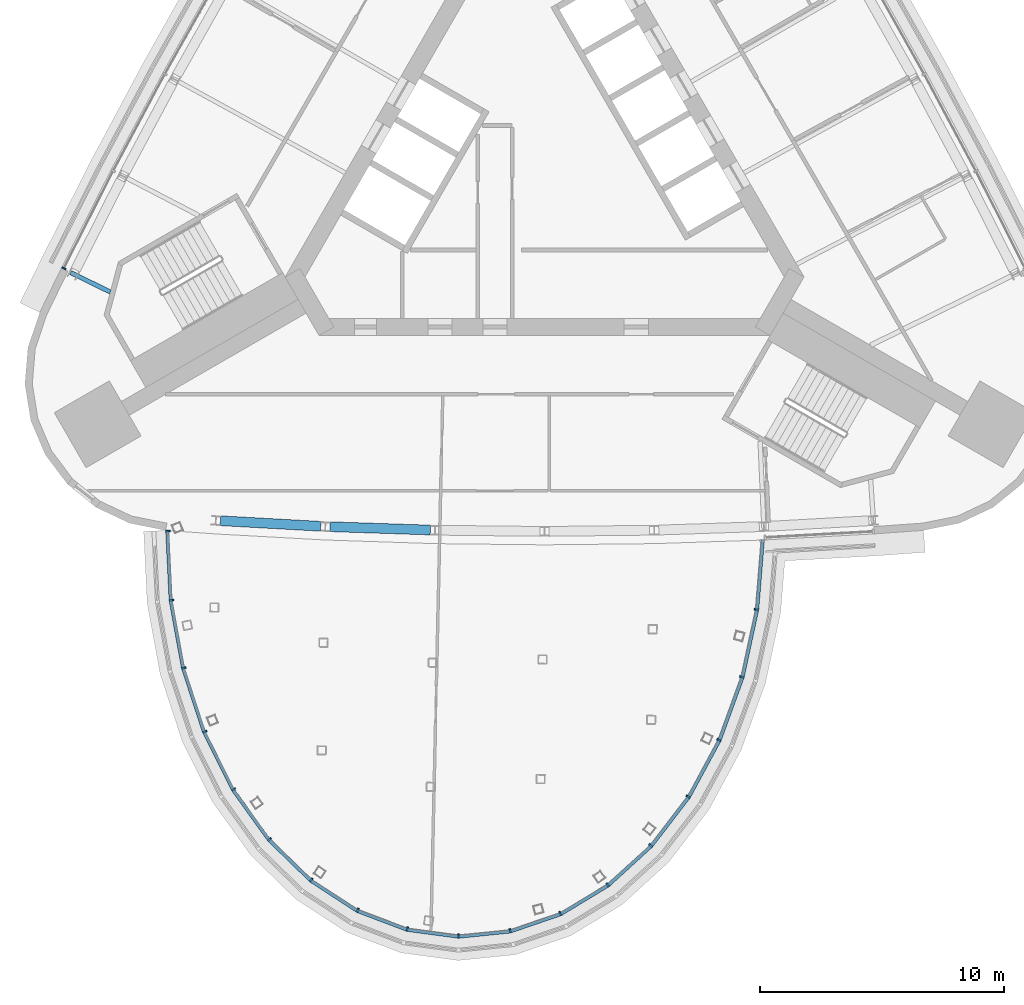
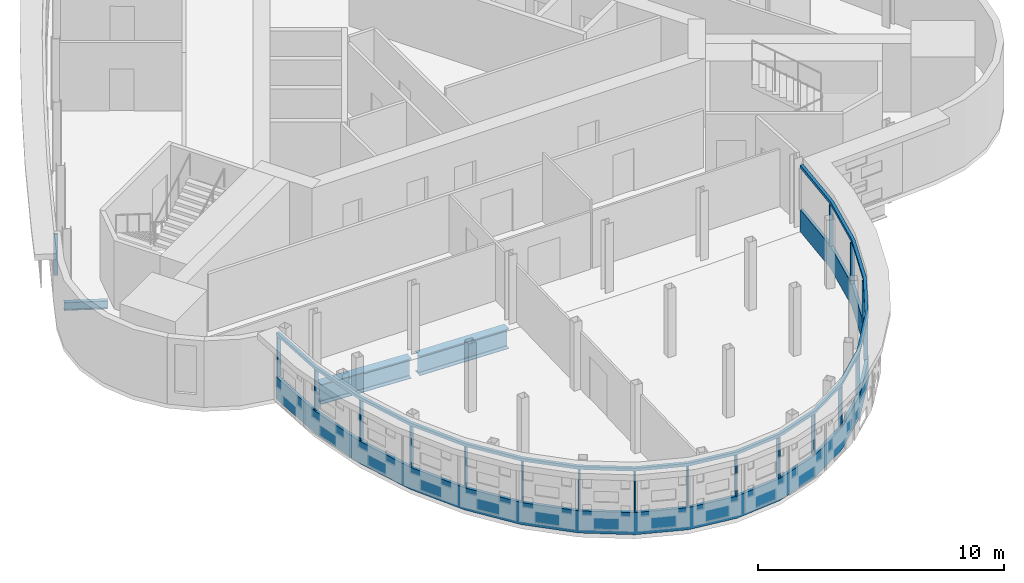
# One storey, part 3 of 14: 21 members, 3 beams, 2 elements without a shape of their own.
"""IFC4 building model written with IfcOpenShell, lengths in metres."""

from ifc_helpers import new_model, si_unit, direction, frame, origin, origin_2d, place, context, subcontext, project, spatial, polyline, rectangle, i_section, outline, extrude, material, material_profile, profile_set, type_object, element, aggregate, save


model = new_model("IFC4")

# Units and contexts
model_context = context("Model", 3, precision=1e-05, world=origin(), true_north=direction((0.0, 1.0)))
body_context = subcontext(model_context, "Body", "Model", "MODEL_VIEW")
ifc_project = project(units=[si_unit("LENGTHUNIT", "METRE"), si_unit("AREAUNIT", "SQUARE_METRE"), si_unit("VOLUMEUNIT", "CUBIC_METRE"), si_unit("PLANEANGLEUNIT", "RADIAN"), si_unit("MASSUNIT", "GRAM", prefix="KILO")], contexts=[model_context])

# Site, building, storey
site_placement = place(None, origin())
site = spatial("IfcSite", under=ifc_project, at=site_placement, CompositionType="ELEMENT")
building_placement = place(site_placement, origin())
building = spatial("IfcBuilding", under=site, at=building_placement, Name="Noor Cloister Tower", CompositionType="ELEMENT")
storey_placement = place(building_placement, frame((0.0, 0.0, 214.800048828125)))
storey = spatial("IfcBuildingStorey", under=building, at=storey_placement, Name="L55", CompositionType="ELEMENT", Elevation=214.800048828125)

# Beams
ifc_material_1 = material(Name="Steel ASTM A992 Gr 50", Category="steel")
ifc_material_profile_1 = material_profile(ifc_material_1, i_section(OverallWidth=0.40087890625, OverallDepth=0.98291015625, WebThickness=0.0166015625, FlangeThickness=0.027099609375, FilletRadius=0.030029296875, at=origin_2d()), Name="W1000x296")
ifc_profile_set_1 = profile_set([ifc_material_profile_1], Name="Steel ASTM A992 Gr 50")
beam_type_1 = type_object("IfcBeamType", Name="Belt chord girder W1000x296", PredefinedType="BEAM", material=ifc_profile_set_1)
for number, where, z_axis, x_axis, name in (
    (1, (-13.267333984375, -14.50390625, -0.691650390625), (0.998469831997, -0.055299137356, 0.0), (0.055299137356, 0.998469831997, 0.0), "Spandrel beam S 01 L55"),
    (2, (-8.786376953125, -14.748046875, -0.691650390625), (0.999447866334, -0.033225930849, 0.0), (0.033225930849, 0.999447866334, 0.0), "Spandrel beam S 02 L55"),
):
    element("IfcBeam", number, at=place(storey_placement, frame(where, z_axis=z_axis, x_axis=x_axis)), inside=storey, type_object=beam_type_1, Name=name, PredefinedType="BEAM", context=body_context, shape_type="SweptSolid", body=[
        extrude(i_section(OverallWidth=0.40087890625, OverallDepth=0.98291015625, WebThickness=0.0166015625, FlangeThickness=0.027099609375, FilletRadius=0.030029296875, at=origin_2d()), origin(), (0.0, 0.0, 1.0), 4.11474609375),
    ])

# Curtain wall, member
ifc_material_2 = material(Name="Aluminium 6063-T6 anodised", Category="aluminium")
curtain_wall_type_1 = type_object("IfcCurtainWallType", Name="Sky bar curtain wall, upper bars CW6", PredefinedType="NOTDEFINED", material=ifc_material_2)
curtain_wall_1_placement = place(storey_placement, origin())
curtain_wall_1 = element("IfcCurtainWall", 3, at=curtain_wall_1_placement, inside=storey, type_object=curtain_wall_type_1, Name="CW6 L55 S sky bar run 2", PredefinedType="NOTDEFINED")
ifc_material_3 = material(Name="Aluminium 6063-T6 anodised", Category="aluminium")
member_type_1 = type_object("IfcMemberType", Name="Head transom CW6 150", PredefinedType="USERDEFINED", material=ifc_material_3)
member_1_placement = place(storey_placement, frame((0.0, 0.0, 3.14990234375)))
member_1 = element("IfcMember", 4, at=member_1_placement, type_object=member_type_1, Name="CW6 head transom", ObjectType="TRANSOM", PredefinedType="USERDEFINED", context=body_context, shape_type="SweptSolid", body=[
    extrude(outline(polyline([(-15.50732421875, -14.898193359375), (-15.366943359375, -17.76611328125), (-14.85888671875, -20.552734375), (-13.998046875, -23.173583984375), (-12.810791015625, -25.548828125), (-11.333251953125, -27.6064453125), (-9.6103515625, -29.2841796875), (-7.6943359375, -30.530517578125), (-5.643310546875, -31.307861328125), (-3.519775390625, -31.5927734375), (-1.38818359375, -31.376220703125), (0.686767578125, -30.6650390625), (2.641845703125, -29.480712890625), (4.417724609375, -27.859130859375), (5.96044921875, -25.85009765625), (7.22314453125, -23.513916015625), (8.167724609375, -20.922119140625), (8.764892578125, -18.153076171875), (8.9970703125, -15.291259765625), (8.857421875, -15.280029296875), (8.626220703125, -18.132568359375), (8.03271484375, -20.883056640625), (7.09521484375, -23.456298828125), (5.842529296875, -25.773681640625), (4.314208984375, -27.76416015625), (2.5576171875, -29.367919921875), (0.626953125, -30.537353515625), (-1.418212890625, -31.238525390625), (-3.517578125, -31.45166015625), (-5.608642578125, -31.17138671875), (-7.630615234375, -30.405029296875), (-9.5224609375, -29.17431640625), (-11.226806640625, -27.514892578125), (-12.690673828125, -25.476318359375), (-13.8681640625, -23.1201171875), (-14.722900390625, -20.51806640625), (-15.227783203125, -17.75), (-15.367431640625, -14.891357421875), (-15.50732421875, -14.898193359375)])), origin(), (0.0, 0.0, 1.0), 0.150146484375),
])

ifc_material_4 = material(Name="Aluminium 6063-T6 anodised", Category="aluminium")
curtain_wall_type_2 = type_object("IfcCurtainWallType", Name="Ribbon curtain wall, upper tower CW5", PredefinedType="NOTDEFINED", material=ifc_material_4)
curtain_wall_2_placement = place(storey_placement, origin())
curtain_wall_2 = element("IfcCurtainWall", 5, at=curtain_wall_2_placement, inside=storey, type_object=curtain_wall_type_2, Name="CW5 L55 NW run 1", PredefinedType="NOTDEFINED")
ifc_material_5 = material(Name="Aluminium 6063-T6 anodised", Category="aluminium")
ifc_material_profile_2 = material_profile(ifc_material_5, rectangle(XDim=0.179931640625, YDim=0.070068359375, at=origin_2d()), Name="180 x 70 mullion")
ifc_profile_set_2 = profile_set([ifc_material_profile_2], Name="Aluminium 6063-T6 anodised")
member_type_2 = type_object("IfcMemberType", Name="Mullion CW5 70 x 180", PredefinedType="MULLION", material=ifc_profile_set_2)
member_2_placement = place(storey_placement, frame((-19.667236328125, -4.175537109375, 1.099853515625), z_axis=(0.0, 0.0, 1.0), x_axis=(0.892352618471, -0.451338901833, 0.0)))
member_2 = element("IfcMember", 6, at=member_2_placement, type_object=member_type_2, Name="CW5 mullion 7", PredefinedType="MULLION", context=body_context, shape_type="SweptSolid", body=[
    extrude(rectangle(XDim=0.179931640625, YDim=0.070068359375, at=origin_2d()), origin(), (0.0, 0.0, 1.0), 2.050048828125),
])
aggregate(curtain_wall_2, [member_2])

# Member
ifc_material_6 = material(Name="Aluminium 6063-T6 anodised", Category="aluminium")
ifc_material_profile_3 = material_profile(ifc_material_6, rectangle(XDim=0.179931640625, YDim=0.070068359375, at=origin_2d()), Name="180 x 70 mullion")
ifc_profile_set_3 = profile_set([ifc_material_profile_3], Name="Aluminium 6063-T6 anodised")
member_type_3 = type_object("IfcMemberType", Name="Mullion CW6 70 x 180", PredefinedType="MULLION", material=ifc_profile_set_3)
member_3_placement = place(storey_placement, frame((-15.40576171875, -14.92822265625, 1.099853515625), z_axis=(0.0, 0.0, 1.0), x_axis=(0.998807460194, 0.048822714606, 0.0)))
member_3 = element("IfcMember", 7, at=member_3_placement, type_object=member_type_3, Name="CW6 mullion 1", PredefinedType="MULLION", context=body_context, shape_type="SweptSolid", body=[
    extrude(rectangle(XDim=0.179931640625, YDim=0.070068359375, at=origin_2d()), origin(), (0.0, 0.0, 1.0), 2.050048828125),
])

member_4_placement = place(storey_placement, frame((-15.267578125, -17.754638671875, 1.099853515625), z_axis=(0.0, 0.0, 1.0), x_axis=(0.993438965549, 0.114363550702, 0.0)))
member_4 = element("IfcMember", 8, at=member_4_placement, type_object=member_type_3, Name="CW6 mullion 2", PredefinedType="MULLION", context=body_context, shape_type="SweptSolid", body=[
    extrude(rectangle(XDim=0.179931640625, YDim=0.070068359375, at=origin_2d()), origin(), (0.0, 0.0, 1.0), 2.050048828125),
])

member_5_placement = place(storey_placement, frame((-14.76171875, -20.528076171875, 1.099853515625), z_axis=(0.0, 0.0, 1.0), x_axis=(0.969193298185, 0.246301341357, 0.0)))
member_5 = element("IfcMember", 9, at=member_5_placement, type_object=member_type_3, Name="CW6 mullion 3", PredefinedType="MULLION", context=body_context, shape_type="SweptSolid", body=[
    extrude(rectangle(XDim=0.179931640625, YDim=0.070068359375, at=origin_2d()), origin(), (0.0, 0.0, 1.0), 2.050048828125),
])

member_6_placement = place(storey_placement, frame((-13.9052734375, -23.13525390625, 1.099853515625), z_axis=(0.0, 0.0, 1.0), x_axis=(0.924752283101, 0.380569592715, 0.0)))
member_6 = element("IfcMember", 10, at=member_6_placement, type_object=member_type_3, Name="CW6 mullion 4", PredefinedType="MULLION", context=body_context, shape_type="SweptSolid", body=[
    extrude(rectangle(XDim=0.179931640625, YDim=0.070068359375, at=origin_2d()), origin(), (0.0, 0.0, 1.0), 2.050048828125),
])

member_7_placement = place(storey_placement, frame((-12.72509765625, -25.4970703125, 1.099853515625), z_axis=(0.0, 0.0, 1.0), x_axis=(0.856103758386, 0.516803981096, 0.0)))
member_7 = element("IfcMember", 11, at=member_7_placement, type_object=member_type_3, Name="CW6 mullion 5", PredefinedType="MULLION", context=body_context, shape_type="SweptSolid", body=[
    extrude(rectangle(XDim=0.179931640625, YDim=0.070068359375, at=origin_2d()), origin(), (0.0, 0.0, 1.0), 2.050048828125),
])

member_8_placement = place(storey_placement, frame((-11.25732421875, -27.541015625, 1.099853515625), z_axis=(0.0, 0.0, 1.0), x_axis=(0.757870889148, 0.652404564194, 0.0)))
member_8 = element("IfcMember", 12, at=member_8_placement, type_object=member_type_3, Name="CW6 mullion 6", PredefinedType="MULLION", context=body_context, shape_type="SweptSolid", body=[
    extrude(rectangle(XDim=0.179931640625, YDim=0.070068359375, at=origin_2d()), origin(), (0.0, 0.0, 1.0), 2.050048828125),
])

member_9_placement = place(storey_placement, frame((-9.547607421875, -29.20556640625, 1.099853515625), z_axis=(0.0, 0.0, 1.0), x_axis=(0.624409562203, 0.781097112163, 0.0)))
member_9 = element("IfcMember", 13, at=member_9_placement, type_object=member_type_3, Name="CW6 mullion 7", PredefinedType="MULLION", context=body_context, shape_type="SweptSolid", body=[
    extrude(rectangle(XDim=0.179931640625, YDim=0.070068359375, at=origin_2d()), origin(), (0.0, 0.0, 1.0), 2.050048828125),
])

member_10_placement = place(storey_placement, frame((-7.648681640625, -30.44091796875, 1.099853515625), z_axis=(0.0, 0.0, 1.0), x_axis=(0.452451441396, 0.891789040737, 0.0)))
member_10 = element("IfcMember", 14, at=member_10_placement, type_object=member_type_3, Name="CW6 mullion 8", PredefinedType="MULLION", context=body_context, shape_type="SweptSolid", body=[
    extrude(rectangle(XDim=0.179931640625, YDim=0.070068359375, at=origin_2d()), origin(), (0.0, 0.0, 1.0), 2.050048828125),
])

member_11_placement = place(storey_placement, frame((-5.61865234375, -31.210205078125, 1.099853515625), z_axis=(0.0, 0.0, 1.0), x_axis=(0.245276878973, 0.969453068818, 0.0)))
member_11 = element("IfcMember", 15, at=member_11_placement, type_object=member_type_3, Name="CW6 mullion 9", PredefinedType="MULLION", context=body_context, shape_type="SweptSolid", body=[
    extrude(rectangle(XDim=0.179931640625, YDim=0.070068359375, at=origin_2d()), origin(), (0.0, 0.0, 1.0), 2.050048828125),
])

member_12_placement = place(storey_placement, frame((-3.51806640625, -31.491943359375, 1.099853515625), z_axis=(0.0, 0.0, 1.0), x_axis=(0.016039463974, 0.999871359524, 0.0)))
member_12 = element("IfcMember", 16, at=member_12_placement, type_object=member_type_3, Name="CW6 mullion 10", PredefinedType="MULLION", context=body_context, shape_type="SweptSolid", body=[
    extrude(rectangle(XDim=0.179931640625, YDim=0.070068359375, at=origin_2d()), origin(), (0.0, 0.0, 1.0), 2.050048828125),
])

member_13_placement = place(storey_placement, frame((-1.40966796875, -31.27783203125, 1.099853515625), z_axis=(0.0, 0.0, 1.0), x_axis=(-0.214055662401, 0.976821464442, 0.0)))
member_13 = element("IfcMember", 17, at=member_13_placement, type_object=member_type_3, Name="CW6 mullion 11", PredefinedType="MULLION", context=body_context, shape_type="SweptSolid", body=[
    extrude(rectangle(XDim=0.179931640625, YDim=0.070068359375, at=origin_2d()), origin(), (0.0, 0.0, 1.0), 2.050048828125),
])

member_14_placement = place(storey_placement, frame((0.64404296875, -30.57373046875, 1.099853515625), z_axis=(0.0, 0.0, 1.0), x_axis=(-0.423614685811, 0.905842479665, 0.0)))
member_14 = element("IfcMember", 18, at=member_14_placement, type_object=member_type_3, Name="CW6 mullion 12", PredefinedType="MULLION", context=body_context, shape_type="SweptSolid", body=[
    extrude(rectangle(XDim=0.179931640625, YDim=0.070068359375, at=origin_2d()), origin(), (0.0, 0.0, 1.0), 2.050048828125),
])

member_15_placement = place(storey_placement, frame((2.58154296875, -29.400146484375, 1.099853515625), z_axis=(0.0, 0.0, 1.0), x_axis=(-0.599034750826, 0.800723027834, 0.0)))
member_15 = element("IfcMember", 19, at=member_15_placement, type_object=member_type_3, Name="CW6 mullion 13", PredefinedType="MULLION", context=body_context, shape_type="SweptSolid", body=[
    extrude(rectangle(XDim=0.179931640625, YDim=0.070068359375, at=origin_2d()), origin(), (0.0, 0.0, 1.0), 2.050048828125),
])

member_16_placement = place(storey_placement, frame((4.34375, -27.791259765625, 1.099853515625), z_axis=(0.0, 0.0, 1.0), x_axis=(-0.736555195978, 0.676377441431, 0.0)))
member_16 = element("IfcMember", 20, at=member_16_placement, type_object=member_type_3, Name="CW6 mullion 14", PredefinedType="MULLION", context=body_context, shape_type="SweptSolid", body=[
    extrude(rectangle(XDim=0.179931640625, YDim=0.070068359375, at=origin_2d()), origin(), (0.0, 0.0, 1.0), 2.050048828125),
])

member_17_placement = place(storey_placement, frame((5.876220703125, -25.79541015625, 1.099853515625), z_axis=(0.0, 0.0, 1.0), x_axis=(-0.839086883334, 0.543997428502, 0.0)))
member_17 = element("IfcMember", 21, at=member_17_placement, type_object=member_type_3, Name="CW6 mullion 15", PredefinedType="MULLION", context=body_context, shape_type="SweptSolid", body=[
    extrude(rectangle(XDim=0.179931640625, YDim=0.070068359375, at=origin_2d()), origin(), (0.0, 0.0, 1.0), 2.050048828125),
])

member_18_placement = place(storey_placement, frame((7.1318359375, -23.472900390625, 1.099853515625), z_axis=(0.0, 0.0, 1.0), x_axis=(-0.912069777343, 0.410035024428, 0.0)))
member_18 = element("IfcMember", 22, at=member_18_placement, type_object=member_type_3, Name="CW6 mullion 16", PredefinedType="MULLION", context=body_context, shape_type="SweptSolid", body=[
    extrude(rectangle(XDim=0.179931640625, YDim=0.070068359375, at=origin_2d()), origin(), (0.0, 0.0, 1.0), 2.050048828125),
])

member_19_placement = place(storey_placement, frame((8.0712890625, -20.894287109375, 1.099853515625), z_axis=(0.0, 0.0, 1.0), x_axis=(-0.960794553727, 0.277261294682, 0.0)))
member_19 = element("IfcMember", 23, at=member_19_placement, type_object=member_type_3, Name="CW6 mullion 17", PredefinedType="MULLION", context=body_context, shape_type="SweptSolid", body=[
    extrude(rectangle(XDim=0.179931640625, YDim=0.070068359375, at=origin_2d()), origin(), (0.0, 0.0, 1.0), 2.050048828125),
])

member_20_placement = place(storey_placement, frame((8.665771484375, -18.138427734375, 1.099853515625), z_axis=(0.0, 0.0, 1.0), x_axis=(-0.989259624416, 0.146169064784, 0.0)))
member_20 = element("IfcMember", 24, at=member_20_placement, type_object=member_type_3, Name="CW6 mullion 18", PredefinedType="MULLION", context=body_context, shape_type="SweptSolid", body=[
    extrude(rectangle(XDim=0.179931640625, YDim=0.070068359375, at=origin_2d()), origin(), (0.0, 0.0, 1.0), 2.050048828125),
])

# Beam
ifc_material_7 = material(Name="Steel ASTM A992 Gr 50", Category="steel")
ifc_material_profile_4 = material_profile(ifc_material_7, i_section(OverallWidth=0.177978515625, OverallDepth=0.406005859375, WebThickness=0.0078125, FlangeThickness=0.0126953125, FilletRadius=0.01025390625, at=origin_2d()), Name="W410x60")
ifc_profile_set_4 = profile_set([ifc_material_profile_4], Name="Steel ASTM A992 Gr 50")
beam_type_2 = type_object("IfcBeamType", Name="Radial beam W410x60", PredefinedType="BEAM", material=ifc_profile_set_4)
beam_placement = place(storey_placement, frame((-19.3828125, -4.35302734375, -0.403076171875), z_axis=(0.897289957795, -0.441441651457, 0.0), x_axis=(0.441441651457, 0.897289957795, 0.0)))
element("IfcBeam", 25, at=beam_placement, inside=storey, type_object=beam_type_2, Name="Radial beam NW 07 L55", PredefinedType="BEAM", context=body_context, shape_type="SweptSolid", body=[
    extrude(i_section(OverallWidth=0.177978515625, OverallDepth=0.406005859375, WebThickness=0.0078125, FlangeThickness=0.0126953125, FilletRadius=0.01025390625, at=origin_2d()), origin(), (0.0, 0.0, 1.0), 1.79638671875),
])

# Member
ifc_material_8 = material(Name="Aluminium 6063-T6 anodised", Category="aluminium")
member_type_4 = type_object("IfcMemberType", Name="Sill transom CW6 1100", PredefinedType="USERDEFINED", material=ifc_material_8)
member_21_placement = place(storey_placement, origin())
member_21 = element("IfcMember", 26, at=member_21_placement, type_object=member_type_4, Name="CW6 sill transom", ObjectType="TRANSOM", PredefinedType="USERDEFINED", context=body_context, shape_type="SweptSolid", body=[
    extrude(outline(polyline([(-15.50732421875, -14.898193359375), (-15.366943359375, -17.76611328125), (-14.85888671875, -20.552734375), (-13.998046875, -23.173583984375), (-12.810791015625, -25.548828125), (-11.333251953125, -27.6064453125), (-9.6103515625, -29.2841796875), (-7.6943359375, -30.530517578125), (-5.643310546875, -31.307861328125), (-3.519775390625, -31.5927734375), (-1.38818359375, -31.376220703125), (0.686767578125, -30.6650390625), (2.641845703125, -29.480712890625), (4.417724609375, -27.859130859375), (5.96044921875, -25.85009765625), (7.22314453125, -23.513916015625), (8.167724609375, -20.922119140625), (8.764892578125, -18.153076171875), (8.9970703125, -15.291259765625), (8.857421875, -15.280029296875), (8.626220703125, -18.132568359375), (8.03271484375, -20.883056640625), (7.09521484375, -23.456298828125), (5.842529296875, -25.773681640625), (4.314208984375, -27.76416015625), (2.5576171875, -29.367919921875), (0.626953125, -30.537353515625), (-1.418212890625, -31.238525390625), (-3.517578125, -31.45166015625), (-5.608642578125, -31.17138671875), (-7.630615234375, -30.405029296875), (-9.5224609375, -29.17431640625), (-11.226806640625, -27.514892578125), (-12.690673828125, -25.476318359375), (-13.8681640625, -23.1201171875), (-14.722900390625, -20.51806640625), (-15.227783203125, -17.75), (-15.367431640625, -14.891357421875), (-15.50732421875, -14.898193359375)])), origin(), (0.0, 0.0, 1.0), 1.099853515625),
])

aggregate(curtain_wall_1, [member_3, member_4, member_5, member_6, member_7, member_8, member_9, member_10, member_11, member_12, member_13, member_14, member_15, member_16, member_17, member_18, member_19, member_20, member_21, member_1])

save(model, "model.ifc")
